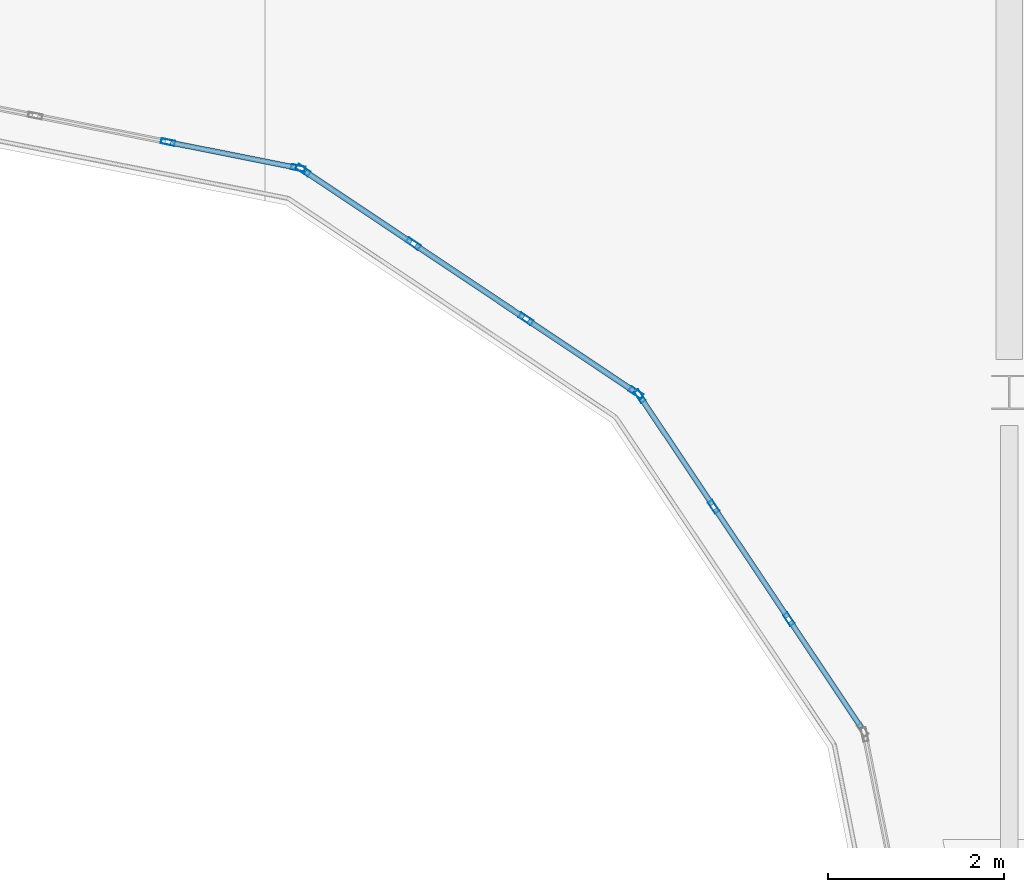
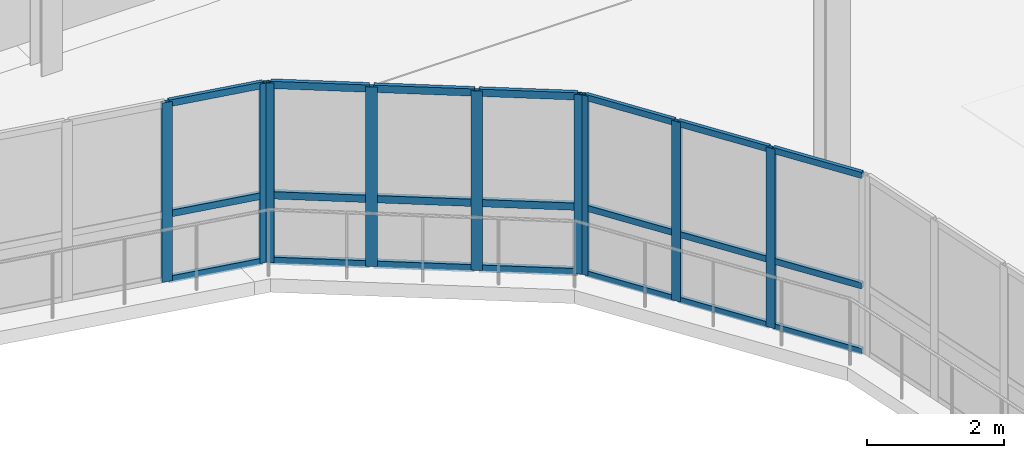
# One storey, part 29 of 104: 30 members, 3 elements without a shape of their own.
"""IFC4 building model written with IfcOpenShell, lengths in metres."""

import ifcopenshell
import ifcopenshell.guid

model = None  # the IFC model being written
_history = None  # IfcOwnerHistory: only IFC2X3 demands one
_inside = {}  # id of a spatial element -> (the spatial element, [elements in it])
_under = {}  # id of a project, library or spatial element -> (it, [spatial elements below it])
_declared = {}  # id of a project -> (the project, [libraries it declares])
_typed = {}  # id of a type object -> (the type object, [elements of that type])
_made_of = {}  # id of a material, layer set ... -> (it, [elements and type objects made of it])


def new_model(schema):
    """Start an empty IFC model of exactly this schema.

    Asked for "IFC4X3", IfcOpenShell would pick the latest addendum, in which some entities
    have other attributes; the version numbers below select the first issue.
    IFC2X3 requires an IfcOwnerHistory on every rooted entity: one is made here for all.
    """
    global model, _history
    if schema == "IFC4X3":
        model = ifcopenshell.file(schema_version=(4, 3, 0, 0))
    else:
        model = ifcopenshell.file(schema=schema)
    _inside.clear()
    _under.clear()
    _declared.clear()
    _typed.clear()
    _made_of.clear()
    _history = None
    if model.schema == "IFC2X3":
        org = make("IfcOrganization", Name="unknown")
        user = make(
            "IfcPersonAndOrganization",
            ThePerson=make("IfcPerson", FamilyName="unknown"),
            TheOrganization=org,
        )
        app = make(
            "IfcApplication",
            ApplicationDeveloper=org,
            Version="unknown",
            ApplicationFullName="unknown",
            ApplicationIdentifier="unknown",
        )
        _history = make(
            "IfcOwnerHistory",
            OwningUser=user,
            OwningApplication=app,
            ChangeAction="ADDED",
            CreationDate=0,
        )
    return model


def make(cls, **values):
    """One entity of the class cls with the attributes given. An attribute that is None is left unset."""
    return model.create_entity(
        cls, **{name: value for name, value in values.items() if value is not None}
    )


def rooted(cls, **values):
    """An entity with a GlobalId (a new one), such as an element, a storey or a relation."""
    return make(cls, GlobalId=ifcopenshell.guid.new(), OwnerHistory=_history, **values)


def si_unit(unit_type, name, prefix=None):
    """IfcSIUnit, for example si_unit("LENGTHUNIT", "METRE", prefix="MILLI")."""
    return make("IfcSIUnit", UnitType=unit_type, Prefix=prefix, Name=name)


def assignment(units):
    """IfcUnitAssignment: the units of a project."""
    return None if units is None else make("IfcUnitAssignment", Units=units)


def point(xyz):
    """IfcCartesianPoint."""
    return None if xyz is None else make("IfcCartesianPoint", Coordinates=xyz)


def direction(xyz):
    """IfcDirection."""
    return None if xyz is None else make("IfcDirection", DirectionRatios=xyz)


def frame(location, z_axis=None, x_axis=None):
    """IfcAxis2Placement3D, a coordinate frame: its origin and axes. An axis left out is left unset."""
    return make(
        "IfcAxis2Placement3D",
        Location=point(location),
        Axis=direction(z_axis),
        RefDirection=direction(x_axis),
    )


def frame_2d(location, x_axis=None):
    """IfcAxis2Placement2D, a coordinate frame in the plane: its origin and x axis."""
    return make(
        "IfcAxis2Placement2D", Location=point(location), RefDirection=direction(x_axis)
    )


def origin():
    """The frame at (0, 0, 0) with its axes left unset."""
    return frame((0.0, 0.0, 0.0))


def origin_2d():
    """The frame at (0, 0) in the plane with its x axis left unset."""
    return frame_2d((0.0, 0.0))


def place(relative_to, where):
    """IfcLocalPlacement: puts the frame where relative to a parent placement (None: the world)."""
    return make(
        "IfcLocalPlacement", PlacementRelTo=relative_to, RelativePlacement=where
    )


def context(
    kind, dimensions, precision=None, world=None, true_north=None, identifier=None
):
    """IfcGeometricRepresentationContext, for example the 3D "Model" context."""
    return make(
        "IfcGeometricRepresentationContext",
        ContextIdentifier=identifier,
        ContextType=kind,
        CoordinateSpaceDimension=dimensions,
        Precision=precision,
        WorldCoordinateSystem=world,
        TrueNorth=true_north,
    )


def subcontext(parent, identifier, kind, view, scale=None):
    """IfcGeometricRepresentationSubContext, for example "Body" below "Model"."""
    return make(
        "IfcGeometricRepresentationSubContext",
        ContextIdentifier=identifier,
        ContextType=kind,
        ParentContext=parent,
        TargetScale=scale,
        TargetView=view,
    )


def project(units=None, contexts=None):
    """IfcProject with its units and contexts."""
    return rooted(
        "IfcProject",
        Name="project",
        RepresentationContexts=contexts,
        UnitsInContext=assignment(units),
    )


def spatial(cls, under=None, at=None, **own):
    """A site, building, storey or space (cls), placed at a placement, below another one or the project."""
    s = rooted(cls, ObjectPlacement=at, **own)
    if under is not None:
        _under.setdefault(under.id(), (under, []))[1].append(s)
    return s


def profile(cls, at=None, kind="AREA", **sizes):
    """A parametric profile (cls). Its sizes go by their IFC names, for example OverallWidth=200.0."""
    return make(cls, ProfileType=kind, Position=at, **sizes)


def hollow_rectangle(**sizes):
    """IfcRectangleHollowProfileDef."""
    return profile("IfcRectangleHollowProfileDef", **sizes)


def extrude(swept, where, along, depth):
    """IfcExtrudedAreaSolid: the profile swept, set in the frame where, extruded along a direction by depth."""
    return make(
        "IfcExtrudedAreaSolid",
        SweptArea=swept,
        Position=where,
        ExtrudedDirection=direction(along),
        Depth=depth,
    )


def shape(context_of_items, identifier, shape_type, items):
    """IfcShapeRepresentation: the items that make up one representation, for example the "Body"."""
    return make(
        "IfcShapeRepresentation",
        ContextOfItems=context_of_items,
        RepresentationIdentifier=identifier,
        RepresentationType=shape_type,
        Items=items,
    )


def material(Name=None, Category=None):
    """IfcMaterial."""
    return make("IfcMaterial", Name=Name, Category=Category)


def layer(
    of_material, thickness, ventilated=None, Name=None, Category=None, Priority=None
):
    """IfcMaterialLayer: one layer of a wall or slab, of a material (None: an air gap)."""
    return make(
        "IfcMaterialLayer",
        Material=of_material,
        LayerThickness=thickness,
        IsVentilated=ventilated,
        Name=Name,
        Category=Category,
        Priority=Priority,
    )


def layer_set(layers, Name=None):
    """IfcMaterialLayerSet."""
    return make("IfcMaterialLayerSet", MaterialLayers=layers, LayerSetName=Name)


def material_profile(
    of_material, cross_section, Name=None, Category=None, Priority=None
):
    """IfcMaterialProfile: a cross section and its material."""
    return make(
        "IfcMaterialProfile",
        Name=Name,
        Material=of_material,
        Profile=cross_section,
        Priority=Priority,
        Category=Category,
    )


def profile_set(profiles, Name=None, composite=None):
    """IfcMaterialProfileSet."""
    return make(
        "IfcMaterialProfileSet",
        Name=Name,
        MaterialProfiles=profiles,
        CompositeProfile=composite,
    )


def made_of(thing, what):
    """Note that an element or type object is made of a material, layer set ...; save() writes the relation."""
    if what is not None:
        _made_of.setdefault(what.id(), (what, []))[1].append(thing)
    return thing


def type_object(cls, material=None, **own):
    """A type object (cls), such as IfcWallType, which elements share."""
    return made_of(rooted(cls, **own), material)


def element(
    cls,
    number,
    at=None,
    inside=None,
    cuts=None,
    type_object=None,
    material=None,
    context=None,
    identifier="Body",
    shape_type=None,
    held_by="IfcProductDefinitionShape",
    body=None,
    shapes=None,
    **own,
):
    """One element of the class cls, such as IfcWall. Its Tag is "e" and its number.

    at: its placement. inside: the storey or other place that contains it. cuts: it is an
    opening in that element (IfcRelVoidsElement). A single representation is given by context,
    identifier, shape_type and body (its items); several are given by shapes. held_by: the class
    of the entity that holds the representations. save() writes the other relations.
    """
    e = rooted(cls, Tag="e%d" % number, ObjectPlacement=at, **own)
    if body is not None:
        shapes = [shape(context, identifier, shape_type, body)]
    if shapes is not None:
        e.Representation = make(held_by, Representations=shapes)
    if inside is not None:
        _inside.setdefault(inside.id(), (inside, []))[1].append(e)
    if cuts is not None:
        rooted(
            "IfcRelVoidsElement", RelatingBuildingElement=cuts, RelatedOpeningElement=e
        )
    if type_object is not None:
        _typed.setdefault(type_object.id(), (type_object, []))[1].append(e)
    return made_of(e, material)


def aggregate(whole, parts):
    """IfcRelAggregates: a whole, such as a stair, and the parts it consists of."""
    return rooted("IfcRelAggregates", RelatingObject=whole, RelatedObjects=parts)


def save(model, path):
    """Write the relations noted so far, then the file.

    IfcRelAggregates (storeys below a building ...), IfcRelContainedInSpatialStructure (elements
    in a storey), IfcRelDefinesByType, IfcRelAssociatesMaterial and IfcRelDeclares: one each for
    every whole, place, type object, material and project.
    """
    for whole, parts in _under.values():
        aggregate(whole, parts)
    for where, things in _inside.values():
        rooted(
            "IfcRelContainedInSpatialStructure",
            RelatedElements=things,
            RelatingStructure=where,
        )
    for kind, things in _typed.values():
        rooted("IfcRelDefinesByType", RelatedObjects=things, RelatingType=kind)
    for what, things in _made_of.values():
        rooted("IfcRelAssociatesMaterial", RelatedObjects=things, RelatingMaterial=what)
    for by, libraries in _declared.values():
        rooted("IfcRelDeclares", RelatingContext=by, RelatedDefinitions=libraries)
    model.write(path)


model = new_model("IFC4")

# Units and contexts
model_context = context("Model", 3, precision=1e-05, world=origin(), true_north=direction((0.0, 1.0)))
body_context = subcontext(model_context, "Body", "Model", "MODEL_VIEW")
ifc_project = project(units=[si_unit("LENGTHUNIT", "METRE"), si_unit("AREAUNIT", "SQUARE_METRE"), si_unit("VOLUMEUNIT", "CUBIC_METRE"), si_unit("PLANEANGLEUNIT", "RADIAN"), si_unit("MASSUNIT", "GRAM", prefix="KILO"), si_unit("THERMODYNAMICTEMPERATUREUNIT", "KELVIN")], contexts=[model_context])

# Site, building, storey
site_placement = place(None, origin())
site = spatial("IfcSite", under=ifc_project, at=site_placement, CompositionType="ELEMENT")
building_placement = place(site_placement, origin())
building = spatial("IfcBuilding", under=site, at=building_placement, Name="Lustrewick Department Store", CompositionType="ELEMENT")
storey_placement = place(building_placement, frame((0.0, 0.0, 11.39990234375)))
storey = spatial("IfcBuildingStorey", under=building, at=storey_placement, Name="L03", CompositionType="ELEMENT", Elevation=11.39990234375)

# Curtain wall, members
ifc_material = material(Name="Thermally broken aluminium 6063-T5", Category="aluminium")
ifc_layer_1 = layer(ifc_material, 0.169921875, Name="Thermally broken aluminium 6063-T5")
ifc_layer_set_1 = layer_set([ifc_layer_1], Name="Thermally broken aluminium 6063-T5")
curtain_wall_type_1 = type_object("IfcCurtainWallType", Name="CW16", PredefinedType="NOTDEFINED", material=ifc_layer_set_1)
curtain_wall_1_placement = place(storey_placement, origin())
curtain_wall_1 = element("IfcCurtainWall", 1, at=curtain_wall_1_placement, inside=storey, type_object=curtain_wall_type_1, Name="L03 Atrium Glazed Screen CW16", PredefinedType="NOTDEFINED")
ifc_material_profile_1 = material_profile(ifc_material, hollow_rectangle(XDim=0.06494140625, YDim=0.169921875, WallThickness=0.00390625, at=origin_2d()), Name="ALU-M 65x170x4")
ifc_profile_set_1 = profile_set([ifc_material_profile_1], Name="Thermally broken aluminium 6063-T5")
member_type_1 = type_object("IfcMemberType", Name="CW16-M1", PredefinedType="MULLION", material=ifc_profile_set_1)
member_1_placement = place(storey_placement, frame((37.752197265625, 75.59716796875, 0.0), z_axis=(0.0, 0.0, 1.0), x_axis=(-0.555578313862, -0.831464212799, 0.0)))
member_1 = element("IfcMember", 2, at=member_1_placement, type_object=member_type_1, Name="CW16 mullion 1", PredefinedType="MULLION", context=body_context, shape_type="SweptSolid", body=[
    extrude(hollow_rectangle(XDim=0.06494140625, YDim=0.169921875, WallThickness=0.00390625, at=origin_2d()), origin(), (0.0, 0.0, 1.0), 3.2001953125),
])
member_2_placement = place(storey_placement, frame((36.497802734375, 76.435546875, 0.0), z_axis=(0.0, 0.0, 1.0), x_axis=(-0.555578313862, -0.831464212799, 0.0)))
member_2 = element("IfcMember", 3, at=member_2_placement, type_object=member_type_1, Name="CW16 mullion 2", PredefinedType="MULLION", context=body_context, shape_type="SweptSolid", body=[
    extrude(hollow_rectangle(XDim=0.06494140625, YDim=0.169921875, WallThickness=0.00390625, at=origin_2d()), origin(), (0.0, 0.0, 1.0), 3.2001953125),
])
member_3_placement = place(storey_placement, frame((35.21630859375, 77.291748046875, 0.0), z_axis=(0.0, 0.0, 1.0), x_axis=(-0.555578313862, -0.831464212799, 0.0)))
member_3 = element("IfcMember", 4, at=member_3_placement, type_object=member_type_1, Name="CW16 mullion 3", PredefinedType="MULLION", context=body_context, shape_type="SweptSolid", body=[
    extrude(hollow_rectangle(XDim=0.06494140625, YDim=0.169921875, WallThickness=0.00390625, at=origin_2d()), origin(), (0.0, 0.0, 1.0), 3.2001953125),
])
member_4_placement = place(storey_placement, frame((33.9619140625, 78.1298828125, 0.0), z_axis=(0.0, 0.0, 1.0), x_axis=(-0.555578313862, -0.831464212799, 0.0)))
member_4 = element("IfcMember", 5, at=member_4_placement, type_object=member_type_1, Name="CW16 mullion 4", PredefinedType="MULLION", context=body_context, shape_type="SweptSolid", body=[
    extrude(hollow_rectangle(XDim=0.06494140625, YDim=0.169921875, WallThickness=0.00390625, at=origin_2d()), origin(), (0.0, 0.0, 1.0), 3.2001953125),
])
ifc_material_profile_2 = material_profile(ifc_material, hollow_rectangle(XDim=0.06494140625, YDim=0.1298828125, WallThickness=0.00341796875, at=origin_2d()), Name="ALU-T 65x130x3.5")
ifc_profile_set_2 = profile_set([ifc_material_profile_2], Name="Thermally broken aluminium 6063-T5")
member_type_2 = type_object("IfcMemberType", Name="CW16-T1", PredefinedType="USERDEFINED", material=ifc_profile_set_2)
member_5_placement = place(storey_placement, frame((37.72509765625, 75.615234375, 0.03271484375), z_axis=(-0.831425427556, 0.555636354474, 0.0), x_axis=(-0.555636354474, -0.831425427556, 0.0)))
member_5 = element("IfcMember", 6, at=member_5_placement, type_object=member_type_2, Name="CW16 transom 1.1", ObjectType="TRANSOM", PredefinedType="USERDEFINED", context=body_context, shape_type="SweptSolid", body=[
    extrude(hollow_rectangle(XDim=0.06494140625, YDim=0.1298828125, WallThickness=0.00341796875, at=origin_2d()), origin(), (0.0, 0.0, 1.0), 1.44384765625),
])
member_6_placement = place(storey_placement, frame((37.72509765625, 75.615234375, 1.2001953125), z_axis=(-0.831425427556, 0.555636354474, 0.0), x_axis=(-0.555636354474, -0.831425427556, 0.0)))
member_6 = element("IfcMember", 7, at=member_6_placement, type_object=member_type_2, Name="CW16 transom 1.2", ObjectType="TRANSOM", PredefinedType="USERDEFINED", context=body_context, shape_type="SweptSolid", body=[
    extrude(hollow_rectangle(XDim=0.06494140625, YDim=0.1298828125, WallThickness=0.00341796875, at=origin_2d()), origin(), (0.0, 0.0, 1.0), 1.44384765625),
])
member_7_placement = place(storey_placement, frame((37.72509765625, 75.615234375, 3.16748046875), z_axis=(-0.831425427556, 0.555636354474, 0.0), x_axis=(-0.555636354474, -0.831425427556, 0.0)))
member_7 = element("IfcMember", 8, at=member_7_placement, type_object=member_type_2, Name="CW16 transom 1.3", ObjectType="TRANSOM", PredefinedType="USERDEFINED", context=body_context, shape_type="SweptSolid", body=[
    extrude(hollow_rectangle(XDim=0.06494140625, YDim=0.1298828125, WallThickness=0.00341796875, at=origin_2d()), origin(), (0.0, 0.0, 1.0), 1.44384765625),
])
member_8_placement = place(storey_placement, frame((36.470703125, 76.45361328125, 0.03271484375), z_axis=(-0.831464570536, 0.555577778482, 0.0), x_axis=(-0.555577778482, -0.831464570536, 0.0)))
member_8 = element("IfcMember", 9, at=member_8_placement, type_object=member_type_2, Name="CW16 transom 2.1", ObjectType="TRANSOM", PredefinedType="USERDEFINED", context=body_context, shape_type="SweptSolid", body=[
    extrude(hollow_rectangle(XDim=0.06494140625, YDim=0.1298828125, WallThickness=0.00341796875, at=origin_2d()), origin(), (0.0, 0.0, 1.0), 1.47607421875),
])
member_9_placement = place(storey_placement, frame((36.470703125, 76.45361328125, 1.2001953125), z_axis=(-0.831464570536, 0.555577778482, 0.0), x_axis=(-0.555577778482, -0.831464570536, 0.0)))
member_9 = element("IfcMember", 10, at=member_9_placement, type_object=member_type_2, Name="CW16 transom 2.2", ObjectType="TRANSOM", PredefinedType="USERDEFINED", context=body_context, shape_type="SweptSolid", body=[
    extrude(hollow_rectangle(XDim=0.06494140625, YDim=0.1298828125, WallThickness=0.00341796875, at=origin_2d()), origin(), (0.0, 0.0, 1.0), 1.47607421875),
])
member_10_placement = place(storey_placement, frame((36.470703125, 76.45361328125, 3.16748046875), z_axis=(-0.831464570536, 0.555577778482, 0.0), x_axis=(-0.555577778482, -0.831464570536, 0.0)))
member_10 = element("IfcMember", 11, at=member_10_placement, type_object=member_type_2, Name="CW16 transom 2.3", ObjectType="TRANSOM", PredefinedType="USERDEFINED", context=body_context, shape_type="SweptSolid", body=[
    extrude(hollow_rectangle(XDim=0.06494140625, YDim=0.1298828125, WallThickness=0.00341796875, at=origin_2d()), origin(), (0.0, 0.0, 1.0), 1.47607421875),
])
member_11_placement = place(storey_placement, frame((35.189208984375, 77.309814453125, 0.03271484375), z_axis=(-0.831503542147, 0.555519450062, 0.0), x_axis=(-0.555519450062, -0.831503542147, 0.0)))
member_11 = element("IfcMember", 12, at=member_11_placement, type_object=member_type_2, Name="CW16 transom 3.1", ObjectType="TRANSOM", PredefinedType="USERDEFINED", context=body_context, shape_type="SweptSolid", body=[
    extrude(hollow_rectangle(XDim=0.06494140625, YDim=0.1298828125, WallThickness=0.00341796875, at=origin_2d()), origin(), (0.0, 0.0, 1.0), 1.443603515625),
])
member_12_placement = place(storey_placement, frame((35.189208984375, 77.309814453125, 1.2001953125), z_axis=(-0.831503542147, 0.555519450062, 0.0), x_axis=(-0.555519450062, -0.831503542147, 0.0)))
member_12 = element("IfcMember", 13, at=member_12_placement, type_object=member_type_2, Name="CW16 transom 3.2", ObjectType="TRANSOM", PredefinedType="USERDEFINED", context=body_context, shape_type="SweptSolid", body=[
    extrude(hollow_rectangle(XDim=0.06494140625, YDim=0.1298828125, WallThickness=0.00341796875, at=origin_2d()), origin(), (0.0, 0.0, 1.0), 1.443603515625),
])
member_13_placement = place(storey_placement, frame((35.189208984375, 77.309814453125, 3.16748046875), z_axis=(-0.831503542147, 0.555519450062, 0.0), x_axis=(-0.555519450062, -0.831503542147, 0.0)))
member_13 = element("IfcMember", 14, at=member_13_placement, type_object=member_type_2, Name="CW16 transom 3.3", ObjectType="TRANSOM", PredefinedType="USERDEFINED", context=body_context, shape_type="SweptSolid", body=[
    extrude(hollow_rectangle(XDim=0.06494140625, YDim=0.1298828125, WallThickness=0.00341796875, at=origin_2d()), origin(), (0.0, 0.0, 1.0), 1.443603515625),
])
aggregate(curtain_wall_1, [member_1, member_2, member_3, member_4, member_5, member_6, member_7, member_8, member_9, member_10, member_11, member_12, member_13])

ifc_layer_2 = layer(ifc_material, 0.159912109375, Name="Thermally broken aluminium 6063-T5")
ifc_layer_set_2 = layer_set([ifc_layer_2], Name="Thermally broken aluminium 6063-T5")
curtain_wall_type_2 = type_object("IfcCurtainWallType", Name="CW17", PredefinedType="NOTDEFINED", material=ifc_layer_set_2)
curtain_wall_2_placement = place(storey_placement, origin())
curtain_wall_2 = element("IfcCurtainWall", 15, at=curtain_wall_2_placement, inside=storey, type_object=curtain_wall_type_2, Name="L03 Atrium Glazed Screen CW17", PredefinedType="NOTDEFINED")
ifc_material_profile_3 = material_profile(ifc_material, hollow_rectangle(XDim=0.06005859375, YDim=0.159912109375, WallThickness=0.00390625, at=origin_2d()), Name="ALU-M 60x160x4")
ifc_profile_set_3 = profile_set([ifc_material_profile_3], Name="Thermally broken aluminium 6063-T5")
member_type_3 = type_object("IfcMemberType", Name="CW17-M1", PredefinedType="MULLION", material=ifc_profile_set_3)
member_14_placement = place(storey_placement, frame((33.9052734375, 78.15380859375, 0.0), z_axis=(0.0, 0.0, 1.0), x_axis=(-0.195084537521, -0.980786430993, 0.0)))
member_14 = element("IfcMember", 16, at=member_14_placement, type_object=member_type_3, Name="CW17 mullion 1", PredefinedType="MULLION", context=body_context, shape_type="SweptSolid", body=[
    extrude(hollow_rectangle(XDim=0.06005859375, YDim=0.159912109375, WallThickness=0.00390625, at=origin_2d()), origin(), (0.0, 0.0, 1.0), 3.2001953125),
])
member_15_placement = place(storey_placement, frame((32.423095703125, 78.44873046875, 0.0), z_axis=(0.0, 0.0, 1.0), x_axis=(-0.195084537521, -0.980786430993, 0.0)))
member_15 = element("IfcMember", 17, at=member_15_placement, type_object=member_type_3, Name="CW17 mullion 2", PredefinedType="MULLION", context=body_context, shape_type="SweptSolid", body=[
    extrude(hollow_rectangle(XDim=0.06005859375, YDim=0.159912109375, WallThickness=0.00390625, at=origin_2d()), origin(), (0.0, 0.0, 1.0), 3.2001953125),
])
ifc_material_profile_4 = material_profile(ifc_material, hollow_rectangle(XDim=0.06005859375, YDim=0.1201171875, WallThickness=0.00341796875, at=origin_2d()), Name="ALU-T 60x120x3.5")
ifc_profile_set_4 = profile_set([ifc_material_profile_4], Name="Thermally broken aluminium 6063-T5")
member_type_4 = type_object("IfcMemberType", Name="CW17-T1", PredefinedType="USERDEFINED", material=ifc_profile_set_4)
member_16_placement = place(storey_placement, frame((33.8759765625, 78.15966796875, 0.030029296875), z_axis=(-0.980774305612, 0.195145487909, 0.0), x_axis=(-0.195145487909, -0.980774305612, 0.0)))
member_16 = element("IfcMember", 18, at=member_16_placement, type_object=member_type_4, Name="CW17 transom 1.1", ObjectType="TRANSOM", PredefinedType="USERDEFINED", context=body_context, shape_type="SweptSolid", body=[
    extrude(hollow_rectangle(XDim=0.06005859375, YDim=0.1201171875, WallThickness=0.00341796875, at=origin_2d()), origin(), (0.0, 0.0, 1.0), 1.451171875),
])
member_17_placement = place(storey_placement, frame((33.8759765625, 78.15966796875, 1.2001953125), z_axis=(-0.980774305612, 0.195145487909, 0.0), x_axis=(-0.195145487909, -0.980774305612, 0.0)))
member_17 = element("IfcMember", 19, at=member_17_placement, type_object=member_type_4, Name="CW17 transom 1.2", ObjectType="TRANSOM", PredefinedType="USERDEFINED", context=body_context, shape_type="SweptSolid", body=[
    extrude(hollow_rectangle(XDim=0.06005859375, YDim=0.1201171875, WallThickness=0.00341796875, at=origin_2d()), origin(), (0.0, 0.0, 1.0), 1.451171875),
])
member_18_placement = place(storey_placement, frame((33.8759765625, 78.15966796875, 3.170166015625), z_axis=(-0.980774305612, 0.195145487909, 0.0), x_axis=(-0.195145487909, -0.980774305612, 0.0)))
member_18 = element("IfcMember", 20, at=member_18_placement, type_object=member_type_4, Name="CW17 transom 1.3", ObjectType="TRANSOM", PredefinedType="USERDEFINED", context=body_context, shape_type="SweptSolid", body=[
    extrude(hollow_rectangle(XDim=0.06005859375, YDim=0.1201171875, WallThickness=0.00341796875, at=origin_2d()), origin(), (0.0, 0.0, 1.0), 1.451171875),
])
aggregate(curtain_wall_2, [member_14, member_15, member_16, member_17, member_18])

ifc_layer_3 = layer(ifc_material, 0.14990234375, Name="Thermally broken aluminium 6063-T5")
ifc_layer_set_3 = layer_set([ifc_layer_3], Name="Thermally broken aluminium 6063-T5")
curtain_wall_type_3 = type_object("IfcCurtainWallType", Name="CW18", PredefinedType="NOTDEFINED", material=ifc_layer_set_3)
curtain_wall_3_placement = place(storey_placement, origin())
curtain_wall_3 = element("IfcCurtainWall", 21, at=curtain_wall_3_placement, inside=storey, type_object=curtain_wall_type_3, Name="L03 Atrium Glazed Screen CW18", PredefinedType="NOTDEFINED")
ifc_material_profile_5 = material_profile(ifc_material, hollow_rectangle(XDim=0.06005859375, YDim=0.14990234375, WallThickness=0.00341796875, at=origin_2d()), Name="ALU-M 60x150x3.5")
ifc_profile_set_5 = profile_set([ifc_material_profile_5], Name="Thermally broken aluminium 6063-T5")
member_type_5 = type_object("IfcMemberType", Name="CW18-M1", PredefinedType="MULLION", material=ifc_profile_set_5)
member_19_placement = place(storey_placement, frame((39.49169921875, 73.016357421875, 0.0), z_axis=(0.0, 0.0, 1.0), x_axis=(-0.831464212799, -0.555578313862, 0.0)))
member_19 = element("IfcMember", 22, at=member_19_placement, type_object=member_type_5, Name="CW18 mullion 2", PredefinedType="MULLION", context=body_context, shape_type="SweptSolid", body=[
    extrude(hollow_rectangle(XDim=0.06005859375, YDim=0.14990234375, WallThickness=0.00341796875, at=origin_2d()), origin(), (0.0, 0.0, 1.0), 3.2001953125),
])
member_20_placement = place(storey_placement, frame((38.635498046875, 74.2978515625, 0.0), z_axis=(0.0, 0.0, 1.0), x_axis=(-0.831464212799, -0.555578313862, 0.0)))
member_20 = element("IfcMember", 23, at=member_20_placement, type_object=member_type_5, Name="CW18 mullion 3", PredefinedType="MULLION", context=body_context, shape_type="SweptSolid", body=[
    extrude(hollow_rectangle(XDim=0.06005859375, YDim=0.14990234375, WallThickness=0.00341796875, at=origin_2d()), origin(), (0.0, 0.0, 1.0), 3.2001953125),
])
member_21_placement = place(storey_placement, frame((37.7958984375, 75.55419921875, 0.0), z_axis=(0.0, 0.0, 1.0), x_axis=(-0.831464212799, -0.555578313862, 0.0)))
member_21 = element("IfcMember", 24, at=member_21_placement, type_object=member_type_5, Name="CW18 mullion 4", PredefinedType="MULLION", context=body_context, shape_type="SweptSolid", body=[
    extrude(hollow_rectangle(XDim=0.06005859375, YDim=0.14990234375, WallThickness=0.00341796875, at=origin_2d()), origin(), (0.0, 0.0, 1.0), 3.2001953125),
])
ifc_material_profile_6 = material_profile(ifc_material, hollow_rectangle(XDim=0.06005859375, YDim=0.110107421875, WallThickness=0.0029296875, at=origin_2d()), Name="ALU-T 60x110x3")
ifc_profile_set_6 = profile_set([ifc_material_profile_6], Name="Thermally broken aluminium 6063-T5")
member_type_6 = type_object("IfcMemberType", Name="CW18-T1", PredefinedType="USERDEFINED", material=ifc_profile_set_6)
member_22_placement = place(storey_placement, frame((40.314697265625, 71.78466796875, 0.030029296875), z_axis=(-0.555670388234, 0.831402682002, 0.0), x_axis=(-0.831402682002, -0.555670388234, 0.0)))
member_22 = element("IfcMember", 25, at=member_22_placement, type_object=member_type_6, Name="CW18 transom 1.1", ObjectType="TRANSOM", PredefinedType="USERDEFINED", context=body_context, shape_type="SweptSolid", body=[
    extrude(hollow_rectangle(XDim=0.06005859375, YDim=0.110107421875, WallThickness=0.0029296875, at=origin_2d()), origin(), (0.0, 0.0, 1.0), 1.451171875),
])
member_23_placement = place(storey_placement, frame((40.314697265625, 71.78466796875, 1.2001953125), z_axis=(-0.555670388234, 0.831402682002, 0.0), x_axis=(-0.831402682002, -0.555670388234, 0.0)))
member_23 = element("IfcMember", 26, at=member_23_placement, type_object=member_type_6, Name="CW18 transom 1.2", ObjectType="TRANSOM", PredefinedType="USERDEFINED", context=body_context, shape_type="SweptSolid", body=[
    extrude(hollow_rectangle(XDim=0.06005859375, YDim=0.110107421875, WallThickness=0.0029296875, at=origin_2d()), origin(), (0.0, 0.0, 1.0), 1.451171875),
])
member_24_placement = place(storey_placement, frame((40.314697265625, 71.78466796875, 3.170166015625), z_axis=(-0.555670388234, 0.831402682002, 0.0), x_axis=(-0.831402682002, -0.555670388234, 0.0)))
member_24 = element("IfcMember", 27, at=member_24_placement, type_object=member_type_6, Name="CW18 transom 1.3", ObjectType="TRANSOM", PredefinedType="USERDEFINED", context=body_context, shape_type="SweptSolid", body=[
    extrude(hollow_rectangle(XDim=0.06005859375, YDim=0.110107421875, WallThickness=0.0029296875, at=origin_2d()), origin(), (0.0, 0.0, 1.0), 1.451171875),
])
member_25_placement = place(storey_placement, frame((39.47509765625, 73.041259765625, 0.030029296875), z_axis=(-0.555650791413, 0.83141577926, 0.0), x_axis=(-0.83141577926, -0.555650791413, 0.0)))
member_25 = element("IfcMember", 28, at=member_25_placement, type_object=member_type_6, Name="CW18 transom 2.1", ObjectType="TRANSOM", PredefinedType="USERDEFINED", context=body_context, shape_type="SweptSolid", body=[
    extrude(hollow_rectangle(XDim=0.06005859375, YDim=0.110107421875, WallThickness=0.0029296875, at=origin_2d()), origin(), (0.0, 0.0, 1.0), 1.481201171875),
])
member_26_placement = place(storey_placement, frame((39.47509765625, 73.041259765625, 1.2001953125), z_axis=(-0.555650791413, 0.83141577926, 0.0), x_axis=(-0.83141577926, -0.555650791413, 0.0)))
member_26 = element("IfcMember", 29, at=member_26_placement, type_object=member_type_6, Name="CW18 transom 2.2", ObjectType="TRANSOM", PredefinedType="USERDEFINED", context=body_context, shape_type="SweptSolid", body=[
    extrude(hollow_rectangle(XDim=0.06005859375, YDim=0.110107421875, WallThickness=0.0029296875, at=origin_2d()), origin(), (0.0, 0.0, 1.0), 1.481201171875),
])
member_27_placement = place(storey_placement, frame((39.47509765625, 73.041259765625, 3.170166015625), z_axis=(-0.555650791413, 0.83141577926, 0.0), x_axis=(-0.83141577926, -0.555650791413, 0.0)))
member_27 = element("IfcMember", 30, at=member_27_placement, type_object=member_type_6, Name="CW18 transom 2.3", ObjectType="TRANSOM", PredefinedType="USERDEFINED", context=body_context, shape_type="SweptSolid", body=[
    extrude(hollow_rectangle(XDim=0.06005859375, YDim=0.110107421875, WallThickness=0.0029296875, at=origin_2d()), origin(), (0.0, 0.0, 1.0), 1.481201171875),
])
member_28_placement = place(storey_placement, frame((38.618896484375, 74.32275390625, 0.030029296875), z_axis=(-0.555670388234, 0.831402682002, 0.0), x_axis=(-0.831402682002, -0.555670388234, 0.0)))
member_28 = element("IfcMember", 31, at=member_28_placement, type_object=member_type_6, Name="CW18 transom 3.1", ObjectType="TRANSOM", PredefinedType="USERDEFINED", context=body_context, shape_type="SweptSolid", body=[
    extrude(hollow_rectangle(XDim=0.06005859375, YDim=0.110107421875, WallThickness=0.0029296875, at=origin_2d()), origin(), (0.0, 0.0, 1.0), 1.451171875),
])
member_29_placement = place(storey_placement, frame((38.618896484375, 74.32275390625, 1.2001953125), z_axis=(-0.555670388234, 0.831402682002, 0.0), x_axis=(-0.831402682002, -0.555670388234, 0.0)))
member_29 = element("IfcMember", 32, at=member_29_placement, type_object=member_type_6, Name="CW18 transom 3.2", ObjectType="TRANSOM", PredefinedType="USERDEFINED", context=body_context, shape_type="SweptSolid", body=[
    extrude(hollow_rectangle(XDim=0.06005859375, YDim=0.110107421875, WallThickness=0.0029296875, at=origin_2d()), origin(), (0.0, 0.0, 1.0), 1.451171875),
])
member_30_placement = place(storey_placement, frame((38.618896484375, 74.32275390625, 3.170166015625), z_axis=(-0.555670388234, 0.831402682002, 0.0), x_axis=(-0.831402682002, -0.555670388234, 0.0)))
member_30 = element("IfcMember", 33, at=member_30_placement, type_object=member_type_6, Name="CW18 transom 3.3", ObjectType="TRANSOM", PredefinedType="USERDEFINED", context=body_context, shape_type="SweptSolid", body=[
    extrude(hollow_rectangle(XDim=0.06005859375, YDim=0.110107421875, WallThickness=0.0029296875, at=origin_2d()), origin(), (0.0, 0.0, 1.0), 1.451171875),
])
aggregate(curtain_wall_3, [member_19, member_20, member_21, member_22, member_23, member_24, member_25, member_26, member_27, member_28, member_29, member_30])

save(model, "model.ifc")
